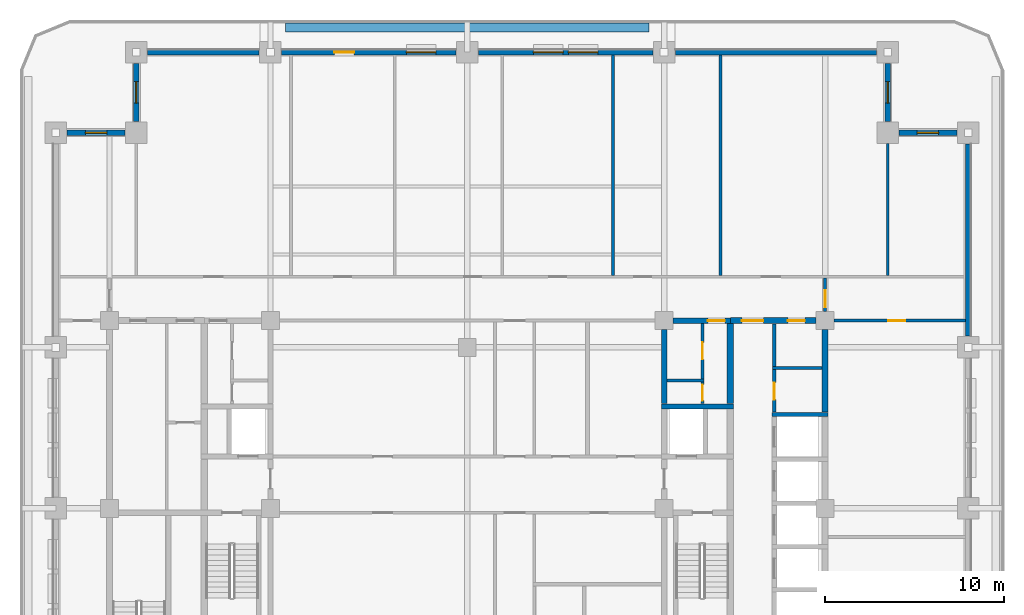
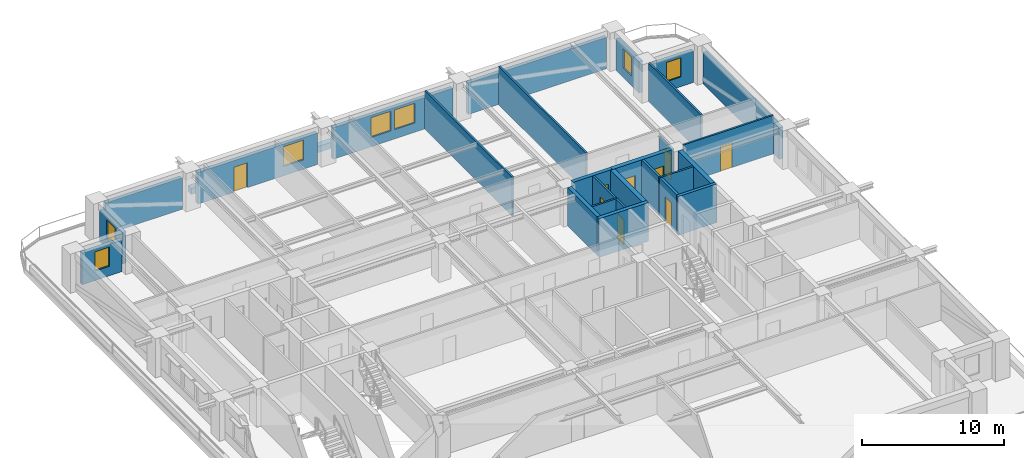
# One storey, part 6 of 14: 28 walls, 9 doors, 7 windows, 16 openings.
"""IFC4 building model written with IfcOpenShell, lengths in metres."""

from ifc_helpers import new_model, si_unit, direction, frame, frame_2d, origin, place, context, subcontext, project, spatial, rectangle, extrude, material, layer, layer_set, type_object, element, fill, save


model = new_model("IFC4")

# Units and contexts
model_context = context("Model", 3, precision=1e-05, world=origin(), true_north=direction((0.0, 1.0)))
body_context = subcontext(model_context, "Body", "Model", "MODEL_VIEW")
ifc_project = project(units=[si_unit("LENGTHUNIT", "METRE"), si_unit("AREAUNIT", "SQUARE_METRE"), si_unit("VOLUMEUNIT", "CUBIC_METRE"), si_unit("PLANEANGLEUNIT", "RADIAN"), si_unit("MASSUNIT", "GRAM", prefix="KILO")], contexts=[model_context])

# Site, building, storey
site_placement = place(None, origin())
site = spatial("IfcSite", under=ifc_project, at=site_placement, CompositionType="ELEMENT")
building_placement = place(site_placement, origin())
building = spatial("IfcBuilding", under=site, at=building_placement, Name="Zulmaris Gate Convention Tower", CompositionType="ELEMENT")
storey_placement = place(building_placement, frame((0.0, 0.0, 102.06982421875)))
storey = spatial("IfcBuildingStorey", under=building, at=storey_placement, Name="L25", CompositionType="ELEMENT", Elevation=102.06982421875)

# Walls
ifc_material_1 = material(Name="Concrete C50/60", Category="concrete")
ifc_layer_1 = layer(ifc_material_1, 0.25, Name="Concrete C50/60")
ifc_layer_set_1 = layer_set([ifc_layer_1], Name="Concrete C50/60")
wall_type_1 = type_object("IfcWallType", Name="CORE-250", PredefinedType="SOLIDWALL", material=ifc_layer_set_1)
wall_1_placement = place(storey_placement, frame((17.02490234375, 5.25, 0.0), z_axis=(0.0, 0.0, 1.0), x_axis=(1.0, 0.0, 0.0)))
element("IfcWall", 1, at=wall_1_placement, inside=storey, type_object=wall_type_1, Name="WL-L25-014", PredefinedType="SOLIDWALL", context=body_context, shape_type="SweptSolid", body=[
    extrude(rectangle(XDim=3.150146484375, YDim=0.25, at=frame_2d((1.5751953125, 0.0))), origin(), (0.0, 0.0, 1.0), 3.320068359375),
])
ifc_layer_2 = layer(ifc_material_1, 0.300048828125, Name="Concrete C50/60")
ifc_layer_set_2 = layer_set([ifc_layer_2], Name="Concrete C50/60")
wall_type_2 = type_object("IfcWallType", Name="CORE-300", PredefinedType="SHEAR", material=ifc_layer_set_2)
wall_2_placement = place(storey_placement, frame((10.85009765625, 5.699951171875, 0.0), z_axis=(0.0, 0.0, 1.0), x_axis=(1.0, 0.0, 0.0)))
element("IfcWall", 2, at=wall_2_placement, inside=storey, type_object=wall_type_2, Name="WL-L25-016", PredefinedType="SHEAR", context=body_context, shape_type="SweptSolid", body=[
    extrude(rectangle(XDim=4.02490234375, YDim=0.300048828125, at=frame_2d((2.012451171875, 0.0))), origin(), (0.0, 0.0, 1.0), 3.320068359375),
])

# Wall, opening, door
wall_3_placement = place(storey_placement, frame((11.50390625, 10.5, 0.0), z_axis=(0.0, 0.0, 1.0), x_axis=(1.0, 0.0, 0.0)))
wall_3 = element("IfcWall", 3, at=wall_3_placement, inside=storey, type_object=wall_type_2, Name="WL-L25-019", PredefinedType="SHEAR", context=body_context, shape_type="SweptSolid", body=[
    extrude(rectangle(XDim=3.196044921875, YDim=0.300048828125, at=frame_2d((1.59814453125, 0.0))), origin(), (0.0, 0.0, 1.0), 3.320068359375),
])
opening_1_placement = place(wall_3_placement, frame((1.94091796875, 0.0, 0.0)))
opening_1 = element("IfcOpeningElement", 4, at=opening_1_placement, cuts=wall_3, Name="Opening D-11", PredefinedType="OPENING", context=body_context, shape_type="SweptSolid", body=[
    extrude(rectangle(XDim=0.949951171875, YDim=2.14990234375, at=frame_2d((0.47509765625, 1.074951171875))), frame((0.0, 0.16015625, 0.0), z_axis=(0.0, -1.0, 0.0), x_axis=(1.0, 0.0, 0.0)), (0.0, 0.0, 1.0), 0.320068359375),
])
ifc_material_2 = material(Name="Fire-Rated Timber", Category="wood")
door_type_1 = type_object("IfcDoorType", Name="DR-950-FD", OperationType="NOTDEFINED", PredefinedType="DOOR", material=ifc_material_2)
door_1_placement = place(opening_1_placement, origin())
door_1 = element("IfcDoor", 5, at=door_1_placement, inside=storey, type_object=door_type_1, Name="L25 Core East Passage Door 10", OperationType="SINGLE_SWING_LEFT", OverallHeight=2.14990234375, OverallWidth=0.949951171875, PredefinedType="DOOR", context=body_context, shape_type="SweptSolid", body=[
    extrude(rectangle(XDim=0.949951171875, YDim=2.14990234375, at=frame_2d((0.47509765625, 1.074951171875))), frame((0.0, 0.02490234375, 0.0), z_axis=(0.0, -1.0, 0.0), x_axis=(1.0, 0.0, 0.0)), (0.0, 0.0, 1.0), 0.050048828125),
])
fill(opening_1, door_1)

# Wall
wall_4_placement = place(storey_placement, frame((11.0, 5.85205078125, 0.0), z_axis=(0.0, 0.0, 1.0), x_axis=(0.0, 1.0, 0.0)))
element("IfcWall", 6, at=wall_4_placement, inside=storey, type_object=wall_type_2, Name="WL-L25-053", PredefinedType="SHEAR", context=body_context, shape_type="SweptSolid", body=[
    extrude(rectangle(XDim=4.14404296875, YDim=0.300048828125, at=frame_2d((2.072021484375, 0.0))), origin(), (0.0, 0.0, 1.0), 3.320068359375),
])

# Wall, openings, doors
ifc_material_3 = material(Name="Concrete C55/67", Category="concrete")
ifc_layer_3 = layer(ifc_material_3, 0.35009765625, Name="Concrete C55/67")
ifc_layer_set_3 = layer_set([ifc_layer_3], Name="Concrete C55/67")
wall_type_3 = type_object("IfcWallType", Name="CORE-350", PredefinedType="SHEAR", material=ifc_layer_set_3)
wall_5_placement = place(storey_placement, frame((14.699951171875, 10.5, 0.0), z_axis=(0.0, 0.0, 1.0), x_axis=(1.0, 0.0, 0.0)))
wall_5 = element("IfcWall", 7, at=wall_5_placement, inside=storey, type_object=wall_type_3, Name="WL-L25-020", PredefinedType="SHEAR", context=body_context, shape_type="SweptSolid", body=[
    extrude(rectangle(XDim=4.796142578125, YDim=0.35009765625, at=frame_2d((2.39794921875, 0.0))), origin(), (0.0, 0.0, 1.0), 3.320068359375),
])
opening_2_placement = place(wall_5_placement, frame((0.64990234375, 0.0, 0.0)))
opening_2 = element("IfcOpeningElement", 8, at=opening_2_placement, cuts=wall_5, Name="Opening D-13", PredefinedType="OPENING", context=body_context, shape_type="SweptSolid", body=[
    extrude(rectangle(XDim=1.199951171875, YDim=2.14990234375, at=frame_2d((0.60009765625, 1.074951171875))), frame((0.0, 0.18505859375, 0.0), z_axis=(0.0, -1.0, 0.0), x_axis=(1.0, 0.0, 0.0)), (0.0, 0.0, 1.0), 0.3701171875),
])
opening_3_placement = place(wall_5_placement, frame((3.22509765625, 0.0, 0.0)))
opening_3 = element("IfcOpeningElement", 9, at=opening_3_placement, cuts=wall_5, Name="Opening D-11", PredefinedType="OPENING", context=body_context, shape_type="SweptSolid", body=[
    extrude(rectangle(XDim=0.949951171875, YDim=2.14990234375, at=frame_2d((0.47509765625, 1.074951171875))), frame((0.0, 0.18505859375, 0.0), z_axis=(0.0, -1.0, 0.0), x_axis=(1.0, 0.0, 0.0)), (0.0, 0.0, 1.0), 0.3701171875),
])
ifc_material_4 = material(Name="Fire-Rated Steel", Category="steel")
door_type_2 = type_object("IfcDoorType", Name="DR-1200-FD", OperationType="NOTDEFINED", PredefinedType="DOOR", material=ifc_material_4)
door_2_placement = place(opening_2_placement, origin())
door_2 = element("IfcDoor", 10, at=door_2_placement, inside=storey, type_object=door_type_2, Name="L25 East Lift Lobby North Door 22", OperationType="SINGLE_SWING_LEFT", OverallHeight=2.14990234375, OverallWidth=1.199951171875, PredefinedType="DOOR", context=body_context, shape_type="SweptSolid", body=[
    extrude(rectangle(XDim=1.199951171875, YDim=2.14990234375, at=frame_2d((0.60009765625, 1.074951171875))), frame((0.0, 0.02490234375, 0.0), z_axis=(0.0, -1.0, 0.0), x_axis=(1.0, 0.0, 0.0)), (0.0, 0.0, 1.0), 0.050048828125),
])
fill(opening_2, door_2)
door_3_placement = place(opening_3_placement, origin())
door_3 = element("IfcDoor", 11, at=door_3_placement, inside=storey, type_object=door_type_1, Name="L25 Mid-Rise Supply Door 23", OperationType="SINGLE_SWING_RIGHT", OverallHeight=2.14990234375, OverallWidth=0.949951171875, PredefinedType="DOOR", context=body_context, shape_type="SweptSolid", body=[
    extrude(rectangle(XDim=0.949951171875, YDim=2.14990234375, at=frame_2d((0.47509765625, 1.074951171875))), frame((0.0, 0.02490234375, 0.0), z_axis=(0.0, -1.0, 0.0), x_axis=(1.0, 0.0, 0.0)), (0.0, 0.0, 1.0), 0.050048828125),
])
fill(opening_3, door_3)

# Walls
wall_6_placement = place(storey_placement, frame((14.699951171875, 5.85205078125, 0.0), z_axis=(0.0, 0.0, 1.0), x_axis=(0.0, 1.0, 0.0)))
element("IfcWall", 12, at=wall_6_placement, inside=storey, type_object=wall_type_3, Name="WL-L25-059", PredefinedType="SHEAR", context=body_context, shape_type="SweptSolid", body=[
    extrude(rectangle(XDim=4.470947265625, YDim=0.35009765625, at=frame_2d((2.2353515625, 0.0))), origin(), (0.0, 0.0, 1.0), 3.320068359375),
])
wall_7_placement = place(storey_placement, frame((20.0, 5.376953125, 0.0), z_axis=(0.0, 0.0, 1.0), x_axis=(0.0, 1.0, 0.0)))
element("IfcWall", 13, at=wall_7_placement, inside=storey, type_object=wall_type_3, Name="WL-L25-071", PredefinedType="SHEAR", context=body_context, shape_type="SweptSolid", body=[
    extrude(rectangle(XDim=4.619140625, YDim=0.35009765625, at=frame_2d((2.3095703125, 0.0))), origin(), (0.0, 0.0, 1.0), 3.320068359375),
])
ifc_material_5 = material(Name="Gypsum Metal Stud Partition")
ifc_layer_4 = layer(ifc_material_5, 0.14990234375, Name="Gypsum Metal Stud Partition")
ifc_layer_set_4 = layer_set([ifc_layer_4], Name="Gypsum Metal Stud Partition")
wall_type_4 = type_object("IfcWallType", Name="PART-150", PredefinedType="PARTITIONING", material=ifc_layer_set_4)
wall_8_placement = place(storey_placement, frame((11.153076171875, 7.14990234375, 0.0), z_axis=(0.0, 0.0, 1.0), x_axis=(1.0, 0.0, 0.0)))
element("IfcWall", 14, at=wall_8_placement, inside=storey, type_object=wall_type_4, Name="WL-L25-031", PredefinedType="PARTITIONING", context=body_context, shape_type="SweptSolid", body=[
    extrude(rectangle(XDim=2.072021484375, YDim=0.14990234375, at=frame_2d((1.0361328125, 0.0))), origin(), (0.0, 0.0, 1.0), 3.320068359375),
])
wall_9_placement = place(storey_placement, frame((17.050048828125, 7.85009765625, 0.0), z_axis=(0.0, 0.0, 1.0), x_axis=(1.0, 0.0, 0.0)))
element("IfcWall", 15, at=wall_9_placement, inside=storey, type_object=wall_type_4, Name="WL-L25-032", PredefinedType="PARTITIONING", context=body_context, shape_type="SweptSolid", body=[
    extrude(rectangle(XDim=2.77197265625, YDim=0.14990234375, at=frame_2d((1.385986328125, 0.0))), origin(), (0.0, 0.0, 1.0), 3.320068359375),
])

# Wall, opening, door
wall_10_placement = place(storey_placement, frame((20.506103515625, 10.5, 0.0), z_axis=(0.0, 0.0, 1.0), x_axis=(1.0, 0.0, 0.0)))
wall_10 = element("IfcWall", 16, at=wall_10_placement, inside=storey, type_object=wall_type_4, Name="WL-L25-035", PredefinedType="PARTITIONING", context=body_context, shape_type="SweptSolid", body=[
    extrude(rectangle(XDim=7.328857421875, YDim=0.14990234375, at=frame_2d((3.66455078125, 0.0))), origin(), (0.0, 0.0, 1.0), 3.320068359375),
])
opening_4_placement = place(wall_10_placement, frame((3.01904296875, 0.0, 0.0)))
opening_4 = element("IfcOpeningElement", 17, at=opening_4_placement, cuts=wall_10, Name="Opening D-11", PredefinedType="OPENING", context=body_context, shape_type="SweptSolid", body=[
    extrude(rectangle(XDim=0.949951171875, YDim=2.14990234375, at=frame_2d((0.47509765625, 1.074951171875))), frame((0.0, 0.0849609375, 0.0), z_axis=(0.0, -1.0, 0.0), x_axis=(1.0, 0.0, 0.0)), (0.0, 0.0, 1.0), 0.169921875),
])
door_4_placement = place(opening_4_placement, origin())
door_4 = element("IfcDoor", 18, at=door_4_placement, inside=storey, type_object=door_type_1, Name="L25 NE Partner Door 51", OperationType="SINGLE_SWING_RIGHT", OverallHeight=2.14990234375, OverallWidth=0.949951171875, PredefinedType="DOOR", context=body_context, shape_type="SweptSolid", body=[
    extrude(rectangle(XDim=0.949951171875, YDim=2.14990234375, at=frame_2d((0.47509765625, 1.074951171875))), frame((0.0, 0.02490234375, 0.0), z_axis=(0.0, -1.0, 0.0), x_axis=(1.0, 0.0, 0.0)), (0.0, 0.0, 1.0), 0.050048828125),
])
fill(opening_4, door_4)

# Wall
wall_11_placement = place(storey_placement, frame((8.14990234375, 13.028076171875, 0.0), z_axis=(0.0, 0.0, 1.0), x_axis=(0.0, 1.0, 0.0)))
element("IfcWall", 19, at=wall_11_placement, inside=storey, type_object=wall_type_4, Name="WL-L25-092", PredefinedType="PARTITIONING", context=body_context, shape_type="SweptSolid", body=[
    extrude(rectangle(XDim=12.306884765625, YDim=0.14990234375, at=frame_2d((6.1533203125, 0.0))), origin(), (0.0, 0.0, 1.0), 3.320068359375),
])

# Wall, opening, door
wall_12_placement = place(storey_placement, frame((13.14990234375, 5.85302734375, 0.0), z_axis=(0.0, 0.0, 1.0), x_axis=(0.0, 1.0, 0.0)))
wall_12 = element("IfcWall", 20, at=wall_12_placement, inside=storey, type_object=wall_type_4, Name="WL-L25-093", PredefinedType="PARTITIONING", context=body_context, shape_type="SweptSolid", body=[
    extrude(rectangle(XDim=1.218994140625, YDim=0.14990234375, at=frame_2d((0.609375, 0.0))), origin(), (0.0, 0.0, 1.0), 3.320068359375),
])
opening_5_placement = place(wall_12_placement, frame((0.1689453125, 0.0, 0.0)))
opening_5 = element("IfcOpeningElement", 21, at=opening_5_placement, cuts=wall_12, Name="Opening D-12", PredefinedType="OPENING", context=body_context, shape_type="SweptSolid", body=[
    extrude(rectangle(XDim=0.89990234375, YDim=2.14990234375, at=frame_2d((0.449951171875, 1.074951171875))), frame((0.0, 0.0849609375, 0.0), z_axis=(0.0, -1.0, 0.0), x_axis=(1.0, 0.0, 0.0)), (0.0, 0.0, 1.0), 0.169921875),
])
door_type_3 = type_object("IfcDoorType", Name="DR-900-FD", OperationType="NOTDEFINED", PredefinedType="DOOR", material=ifc_material_2)
door_5_placement = place(opening_5_placement, origin())
door_5 = element("IfcDoor", 22, at=door_5_placement, inside=storey, type_object=door_type_3, Name="L25 Core Staff WC Door 11", OperationType="SINGLE_SWING_RIGHT", OverallHeight=2.14990234375, OverallWidth=0.89990234375, PredefinedType="DOOR", context=body_context, shape_type="SweptSolid", body=[
    extrude(rectangle(XDim=0.89990234375, YDim=2.14990234375, at=frame_2d((0.449951171875, 1.074951171875))), frame((0.0, 0.02490234375, 0.0), z_axis=(0.0, -1.0, 0.0), x_axis=(1.0, 0.0, 0.0)), (0.0, 0.0, 1.0), 0.050048828125),
])
fill(opening_5, door_5)

wall_13_placement = place(storey_placement, frame((13.14990234375, 7.22802734375, 0.0), z_axis=(0.0, 0.0, 1.0), x_axis=(0.0, 1.0, 0.0)))
wall_13 = element("IfcWall", 23, at=wall_13_placement, inside=storey, type_object=wall_type_4, Name="WL-L25-094", PredefinedType="PARTITIONING", context=body_context, shape_type="SweptSolid", body=[
    extrude(rectangle(XDim=3.118896484375, YDim=0.14990234375, at=frame_2d((1.5595703125, 0.0))), origin(), (0.0, 0.0, 1.0), 3.320068359375),
])
opening_6_placement = place(wall_13_placement, frame((1.096923828125, 0.0, 0.0)))
opening_6 = element("IfcOpeningElement", 24, at=opening_6_placement, cuts=wall_13, Name="Opening D-11", PredefinedType="OPENING", context=body_context, shape_type="SweptSolid", body=[
    extrude(rectangle(XDim=0.949951171875, YDim=2.14990234375, at=frame_2d((0.47509765625, 1.074951171875))), frame((0.0, 0.0849609375, 0.0), z_axis=(0.0, -1.0, 0.0), x_axis=(1.0, 0.0, 0.0)), (0.0, 0.0, 1.0), 0.169921875),
])
door_6_placement = place(opening_6_placement, origin())
door_6 = element("IfcDoor", 25, at=door_6_placement, inside=storey, type_object=door_type_1, Name="L25 Core Hygiene Store Door 12", OperationType="SINGLE_SWING_LEFT", OverallHeight=2.14990234375, OverallWidth=0.949951171875, PredefinedType="DOOR", context=body_context, shape_type="SweptSolid", body=[
    extrude(rectangle(XDim=0.949951171875, YDim=2.14990234375, at=frame_2d((0.47509765625, 1.074951171875))), frame((0.0, 0.02490234375, 0.0), z_axis=(0.0, -1.0, 0.0), x_axis=(1.0, 0.0, 0.0)), (0.0, 0.0, 1.0), 0.050048828125),
])
fill(opening_6, door_6)

# Wall
wall_14_placement = place(storey_placement, frame((14.14990234375, 13.028076171875, 0.0), z_axis=(0.0, 0.0, 1.0), x_axis=(0.0, 1.0, 0.0)))
element("IfcWall", 26, at=wall_14_placement, inside=storey, type_object=wall_type_4, Name="WL-L25-095", PredefinedType="PARTITIONING", context=body_context, shape_type="SweptSolid", body=[
    extrude(rectangle(XDim=12.306884765625, YDim=0.14990234375, at=frame_2d((6.1533203125, 0.0))), origin(), (0.0, 0.0, 1.0), 3.320068359375),
])

# Wall, opening, door
wall_15_placement = place(storey_placement, frame((20.0, 11.006103515625, 0.0), z_axis=(0.0, 0.0, 1.0), x_axis=(0.0, 1.0, 0.0)))
wall_15 = element("IfcWall", 27, at=wall_15_placement, inside=storey, type_object=wall_type_4, Name="WL-L25-099", PredefinedType="PARTITIONING", context=body_context, shape_type="SweptSolid", body=[
    extrude(rectangle(XDim=1.865966796875, YDim=0.14990234375, at=frame_2d((0.93310546875, 0.0))), origin(), (0.0, 0.0, 1.0), 2.81005859375),
])
opening_7_placement = place(wall_15_placement, frame((0.239013671875, 0.0, 0.0)))
opening_7 = element("IfcOpeningElement", 28, at=opening_7_placement, cuts=wall_15, Name="Opening D-11", PredefinedType="OPENING", context=body_context, shape_type="SweptSolid", body=[
    extrude(rectangle(XDim=0.949951171875, YDim=2.14990234375, at=frame_2d((0.47509765625, 1.074951171875))), frame((0.0, 0.0849609375, 0.0), z_axis=(0.0, -1.0, 0.0), x_axis=(1.0, 0.0, 0.0)), (0.0, 0.0, 1.0), 0.169921875),
])
door_7_placement = place(opening_7_placement, origin())
door_7 = element("IfcDoor", 29, at=door_7_placement, inside=storey, type_object=door_type_1, Name="L25 NE Spur Door 49", OperationType="SINGLE_SWING_RIGHT", OverallHeight=2.14990234375, OverallWidth=0.949951171875, PredefinedType="DOOR", context=body_context, shape_type="SweptSolid", body=[
    extrude(rectangle(XDim=0.949951171875, YDim=2.14990234375, at=frame_2d((0.47509765625, 1.074951171875))), frame((0.0, 0.02490234375, 0.0), z_axis=(0.0, -1.0, 0.0), x_axis=(1.0, 0.0, 0.0)), (0.0, 0.0, 1.0), 0.050048828125),
])
fill(opening_7, door_7)

# Wall
wall_16_placement = place(storey_placement, frame((23.5, 13.028076171875, 0.0), z_axis=(0.0, 0.0, 1.0), x_axis=(0.0, 1.0, 0.0)))
element("IfcWall", 30, at=wall_16_placement, inside=storey, type_object=wall_type_4, Name="WL-L25-101", PredefinedType="PARTITIONING", context=body_context, shape_type="SweptSolid", body=[
    extrude(rectangle(XDim=7.365966796875, YDim=0.14990234375, at=frame_2d((3.68310546875, 0.0))), origin(), (0.0, 0.0, 1.0), 3.320068359375),
])

# Wall, opening, door
ifc_material_6 = material(Name="Autoclaved Aerated Concrete Block and Plasterboard", Category="concrete")
ifc_layer_5 = layer(ifc_material_6, 0.199951171875, Name="Autoclaved Aerated Concrete Block and Plasterboard")
ifc_layer_set_5 = layer_set([ifc_layer_5], Name="Autoclaved Aerated Concrete Block and Plasterboard")
wall_type_5 = type_object("IfcWallType", Name="PART-200", PredefinedType="PARTITIONING", material=ifc_layer_set_5)
wall_17_placement = place(storey_placement, frame((17.14990234375, 5.3779296875, 0.0), z_axis=(0.0, 0.0, 1.0), x_axis=(0.0, 1.0, 0.0)))
wall_17 = element("IfcWall", 31, at=wall_17_placement, inside=storey, type_object=wall_type_5, Name="WL-L25-096", PredefinedType="PARTITIONING", context=body_context, shape_type="SweptSolid", body=[
    extrude(rectangle(XDim=2.39404296875, YDim=0.199951171875, at=frame_2d((1.197021484375, 0.0))), origin(), (0.0, 0.0, 1.0), 3.320068359375),
])
opening_8_placement = place(wall_17_placement, frame((0.697021484375, 0.0, 0.0)))
opening_8 = element("IfcOpeningElement", 32, at=opening_8_placement, cuts=wall_17, Name="Opening D-11", PredefinedType="OPENING", context=body_context, shape_type="SweptSolid", body=[
    extrude(rectangle(XDim=0.949951171875, YDim=2.14990234375, at=frame_2d((0.47509765625, 1.074951171875))), frame((0.0, 0.10986328125, 0.0), z_axis=(0.0, -1.0, 0.0), x_axis=(1.0, 0.0, 0.0)), (0.0, 0.0, 1.0), 0.219970703125),
])
door_8_placement = place(opening_8_placement, origin())
door_8 = element("IfcDoor", 33, at=door_8_placement, inside=storey, type_object=door_type_1, Name="L25 Mid-Rise Meter Door 24", OperationType="SINGLE_SWING_LEFT", OverallHeight=2.14990234375, OverallWidth=0.949951171875, PredefinedType="DOOR", context=body_context, shape_type="SweptSolid", body=[
    extrude(rectangle(XDim=0.949951171875, YDim=2.14990234375, at=frame_2d((0.47509765625, 1.074951171875))), frame((0.0, 0.02490234375, 0.0), z_axis=(0.0, -1.0, 0.0), x_axis=(1.0, 0.0, 0.0)), (0.0, 0.0, 1.0), 0.050048828125),
])
fill(opening_8, door_8)

# Walls
wall_18_placement = place(storey_placement, frame((17.14990234375, 7.927978515625, 0.0), z_axis=(0.0, 0.0, 1.0), x_axis=(0.0, 1.0, 0.0)))
element("IfcWall", 34, at=wall_18_placement, inside=storey, type_object=wall_type_5, Name="WL-L25-097", PredefinedType="PARTITIONING", context=body_context, shape_type="SweptSolid", body=[
    extrude(rectangle(XDim=2.39404296875, YDim=0.199951171875, at=frame_2d((1.197021484375, 0.0))), origin(), (0.0, 0.0, 1.0), 3.320068359375),
])
ifc_material_7 = material(Name="Botanical Green Glazed Precast Concrete C40/50", Category="concrete")
ifc_layer_6 = layer(ifc_material_7, 0.419921875, Name="Botanical Green Glazed Precast Concrete C40/50")
ifc_layer_set_6 = layer_set([ifc_layer_6], Name="Botanical Green Glazed Precast Concrete C40/50")
wall_type_6 = type_object("IfcWallType", Name="PLANTER-CURB-200", PredefinedType="PARAPET", material=ifc_layer_set_6)
wall_19_placement = place(storey_placement, frame((-10.14990234375, 26.8798828125, -0.0400390625), z_axis=(0.0, 0.0, 1.0), x_axis=(1.0, 0.0, 0.0)))
element("IfcWall", 35, at=wall_19_placement, inside=storey, type_object=wall_type_6, Name="L25 Full-Length Balcony Tree Planter Trough", PredefinedType="PARAPET", context=body_context, shape_type="SweptSolid", body=[
    extrude(rectangle(XDim=20.2998046875, YDim=0.47998046875, at=frame_2d((10.14990234375, 0.0))), origin(), (0.0, 0.0, 1.0), 0.52001953125),
])

# Wall, opening, window
ifc_material_8 = material(Name="Precast concrete C40/50", Category="concrete")
ifc_layer_7 = layer(ifc_material_8, 0.300048828125, Name="Precast concrete C40/50")
ifc_layer_set_7 = layer_set([ifc_layer_7], Name="Precast concrete C40/50")
wall_type_7 = type_object("IfcWallType", Name="PRECAST-PIER-300", PredefinedType="STANDARD", material=ifc_layer_set_7)
wall_20_placement = place(storey_placement, frame((27.3701171875, 21.0, 0.0), z_axis=(0.0, 0.0, 1.0), x_axis=(-1.0, 0.0, 0.0)))
wall_20 = element("IfcWall", 36, at=wall_20_placement, inside=storey, type_object=wall_type_7, Name="EW-L25-NOTCH-NE1_0", PredefinedType="STANDARD", context=body_context, shape_type="SweptSolid", body=[
    extrude(rectangle(XDim=3.240234375, YDim=0.300048828125, at=frame_2d((1.6201171875, 0.0))), origin(), (0.0, 0.0, 1.0), 2.712158203125),
])
opening_9_placement = place(wall_20_placement, frame((1.02001953125, 0.0, 0.820068359375)))
opening_9 = element("IfcOpeningElement", 37, at=opening_9_placement, cuts=wall_20, Name="Opening W-04", PredefinedType="OPENING", context=body_context, shape_type="SweptSolid", body=[
    extrude(rectangle(XDim=1.199951171875, YDim=1.64990234375, at=frame_2d((0.60009765625, 0.824951171875))), frame((0.0, 0.16015625, 0.0), z_axis=(0.0, -1.0, 0.0), x_axis=(1.0, 0.0, 0.0)), (0.0, 0.0, 1.0), 0.320068359375),
])
ifc_material_9 = material(Name="Low-E Laminated Double Glazing in Aluminium Frame", Category="aluminium")
window_type_1 = type_object("IfcWindowType", Name="WIN-1200x2100", PartitioningType="SINGLE_PANEL", PredefinedType="WINDOW", material=ifc_material_9)
window_1_placement = place(opening_9_placement, origin())
window_1 = element("IfcWindow", 38, at=window_1_placement, inside=storey, type_object=window_type_1, Name="WN-EW-L25-NOTCH-NE1_0", OverallHeight=1.64990234375, OverallWidth=1.199951171875, PartitioningType="SINGLE_PANEL", PredefinedType="WINDOW", context=body_context, shape_type="SweptSolid", body=[
    extrude(rectangle(XDim=1.199951171875, YDim=1.64990234375, at=frame_2d((0.60009765625, 0.824951171875))), frame((0.0, 0.030029296875, 0.0), z_axis=(0.0, -1.0, 0.0), x_axis=(1.0, 0.0, 0.0)), (0.0, 0.0, 1.0), 0.06005859375),
])
fill(opening_9, window_1)

wall_21_placement = place(storey_placement, frame((23.5, 21.6298828125, 0.0), z_axis=(0.0, 0.0, 1.0), x_axis=(0.0, 1.0, 0.0)))
wall_21 = element("IfcWall", 39, at=wall_21_placement, inside=storey, type_object=wall_type_7, Name="EW-L25-NOTCH-NE2_0", PredefinedType="STANDARD", context=body_context, shape_type="SweptSolid", body=[
    extrude(rectangle(XDim=3.240234375, YDim=0.300048828125, at=frame_2d((1.6201171875, 0.0))), origin(), (0.0, 0.0, 1.0), 2.712158203125),
])
opening_10_placement = place(wall_21_placement, frame((1.02001953125, 0.0, 0.820068359375)))
opening_10 = element("IfcOpeningElement", 40, at=opening_10_placement, cuts=wall_21, Name="Opening W-04", PredefinedType="OPENING", context=body_context, shape_type="SweptSolid", body=[
    extrude(rectangle(XDim=1.199951171875, YDim=1.64990234375, at=frame_2d((0.60009765625, 0.824951171875))), frame((0.0, 0.16015625, 0.0), z_axis=(0.0, -1.0, 0.0), x_axis=(1.0, 0.0, 0.0)), (0.0, 0.0, 1.0), 0.320068359375),
])
window_2_placement = place(opening_10_placement, origin())
window_2 = element("IfcWindow", 41, at=window_2_placement, inside=storey, type_object=window_type_1, Name="WN-EW-L25-NOTCH-NE2_0", OverallHeight=1.64990234375, OverallWidth=1.199951171875, PartitioningType="SINGLE_PANEL", PredefinedType="WINDOW", context=body_context, shape_type="SweptSolid", body=[
    extrude(rectangle(XDim=1.199951171875, YDim=1.64990234375, at=frame_2d((0.60009765625, 0.824951171875))), frame((0.0, 0.030029296875, 0.0), z_axis=(0.0, -1.0, 0.0), x_axis=(1.0, 0.0, 0.0)), (0.0, 0.0, 1.0), 0.06005859375),
])
fill(opening_10, window_2)

wall_22_placement = place(storey_placement, frame((-18.5, 24.8701171875, 0.0), z_axis=(0.0, 0.0, 1.0), x_axis=(0.0, -1.0, 0.0)))
wall_22 = element("IfcWall", 42, at=wall_22_placement, inside=storey, type_object=wall_type_7, Name="EW-L25-NOTCH-NW1_0", PredefinedType="STANDARD", context=body_context, shape_type="SweptSolid", body=[
    extrude(rectangle(XDim=3.240234375, YDim=0.300048828125, at=frame_2d((1.6201171875, 0.0))), origin(), (0.0, 0.0, 1.0), 2.712158203125),
])
opening_11_placement = place(wall_22_placement, frame((1.02001953125, 0.0, 0.820068359375)))
opening_11 = element("IfcOpeningElement", 43, at=opening_11_placement, cuts=wall_22, Name="Opening W-04", PredefinedType="OPENING", context=body_context, shape_type="SweptSolid", body=[
    extrude(rectangle(XDim=1.199951171875, YDim=1.64990234375, at=frame_2d((0.60009765625, 0.824951171875))), frame((0.0, 0.16015625, 0.0), z_axis=(0.0, -1.0, 0.0), x_axis=(1.0, 0.0, 0.0)), (0.0, 0.0, 1.0), 0.320068359375),
])
window_3_placement = place(opening_11_placement, origin())
window_3 = element("IfcWindow", 44, at=window_3_placement, inside=storey, type_object=window_type_1, Name="WN-EW-L25-NOTCH-NW1_0", OverallHeight=1.64990234375, OverallWidth=1.199951171875, PartitioningType="SINGLE_PANEL", PredefinedType="WINDOW", context=body_context, shape_type="SweptSolid", body=[
    extrude(rectangle(XDim=1.199951171875, YDim=1.64990234375, at=frame_2d((0.60009765625, 0.824951171875))), frame((0.0, 0.030029296875, 0.0), z_axis=(0.0, -1.0, 0.0), x_axis=(1.0, 0.0, 0.0)), (0.0, 0.0, 1.0), 0.06005859375),
])
fill(opening_11, window_3)

wall_23_placement = place(storey_placement, frame((-19.1298828125, 21.0, 0.0), z_axis=(0.0, 0.0, 1.0), x_axis=(-1.0, 0.0, 0.0)))
wall_23 = element("IfcWall", 45, at=wall_23_placement, inside=storey, type_object=wall_type_7, Name="EW-L25-NOTCH-NW2_0", PredefinedType="STANDARD", context=body_context, shape_type="SweptSolid", body=[
    extrude(rectangle(XDim=3.240234375, YDim=0.300048828125, at=frame_2d((1.6201171875, 0.0))), origin(), (0.0, 0.0, 1.0), 2.712158203125),
])
opening_12_placement = place(wall_23_placement, frame((1.02001953125, 0.0, 0.820068359375)))
opening_12 = element("IfcOpeningElement", 46, at=opening_12_placement, cuts=wall_23, Name="Opening W-04", PredefinedType="OPENING", context=body_context, shape_type="SweptSolid", body=[
    extrude(rectangle(XDim=1.199951171875, YDim=1.64990234375, at=frame_2d((0.60009765625, 0.824951171875))), frame((0.0, 0.16015625, 0.0), z_axis=(0.0, -1.0, 0.0), x_axis=(1.0, 0.0, 0.0)), (0.0, 0.0, 1.0), 0.320068359375),
])
window_4_placement = place(opening_12_placement, origin())
window_4 = element("IfcWindow", 47, at=window_4_placement, inside=storey, type_object=window_type_1, Name="WN-EW-L25-NOTCH-NW2_0", OverallHeight=1.64990234375, OverallWidth=1.199951171875, PartitioningType="SINGLE_PANEL", PredefinedType="WINDOW", context=body_context, shape_type="SweptSolid", body=[
    extrude(rectangle(XDim=1.199951171875, YDim=1.64990234375, at=frame_2d((0.60009765625, 0.824951171875))), frame((0.0, 0.030029296875, 0.0), z_axis=(0.0, -1.0, 0.0), x_axis=(1.0, 0.0, 0.0)), (0.0, 0.0, 1.0), 0.06005859375),
])
fill(opening_12, window_4)

# Wall
wall_24_placement = place(storey_placement, frame((-11.6298828125, 25.5, 0.0), z_axis=(0.0, 0.0, 1.0), x_axis=(-1.0, 0.0, 0.0)))
element("IfcWall", 48, at=wall_24_placement, inside=storey, type_object=wall_type_7, Name="EW-L25-N-0_0", PredefinedType="STANDARD", context=body_context, shape_type="SweptSolid", body=[
    extrude(rectangle(XDim=6.240234375, YDim=0.300048828125, at=frame_2d((3.1201171875, 0.0))), origin(), (0.0, 0.0, 1.0), 2.712158203125),
])

# Wall, openings, door, window
wall_25_placement = place(storey_placement, frame((-0.6298828125, 25.5, 0.0), z_axis=(0.0, 0.0, 1.0), x_axis=(-1.0, 0.0, 0.0)))
wall_25 = element("IfcWall", 49, at=wall_25_placement, inside=storey, type_object=wall_type_7, Name="EW-L25-N-1_0", PredefinedType="STANDARD", context=body_context, shape_type="SweptSolid", body=[
    extrude(rectangle(XDim=9.740234375, YDim=0.300048828125, at=frame_2d((4.8701171875, 0.0))), origin(), (0.0, 0.0, 1.0), 2.712158203125),
])
opening_13_placement = place(wall_25_placement, frame((5.693115234375, 0.0, 0.0)))
opening_13 = element("IfcOpeningElement", 50, at=opening_13_placement, cuts=wall_25, Name="Opening D-04", PredefinedType="OPENING", context=body_context, shape_type="SweptSolid", body=[
    extrude(rectangle(XDim=1.10009765625, YDim=2.14990234375, at=frame_2d((0.550048828125, 1.074951171875))), frame((0.0, 0.16015625, 0.0), z_axis=(0.0, -1.0, 0.0), x_axis=(1.0, 0.0, 0.0)), (0.0, 0.0, 1.0), 0.320068359375),
])
opening_14_placement = place(wall_25_placement, frame((1.123046875, 0.0, 0.800048828125)))
opening_14 = element("IfcOpeningElement", 51, at=opening_14_placement, cuts=wall_25, Name="Opening W-08", PredefinedType="OPENING", context=body_context, shape_type="SweptSolid", body=[
    extrude(rectangle(XDim=1.64990234375, YDim=1.699951171875, at=frame_2d((0.824951171875, 0.85009765625))), frame((0.0, 0.16015625, 0.0), z_axis=(0.0, -1.0, 0.0), x_axis=(1.0, 0.0, 0.0)), (0.0, 0.0, 1.0), 0.320068359375),
])
ifc_material_10 = material(Name="Anodised Aluminium and Laminated Glass", Category="aluminium")
door_type_4 = type_object("IfcDoorType", Name="ED-1100", OperationType="SINGLE_SWING_RIGHT", PredefinedType="DOOR", material=ifc_material_10)
door_9_placement = place(opening_13_placement, origin())
door_9 = element("IfcDoor", 52, at=door_9_placement, inside=storey, type_object=door_type_4, Name="L25 N Planted Terrace Door", OperationType="SINGLE_SWING_LEFT", OverallHeight=2.14990234375, OverallWidth=1.10009765625, PredefinedType="DOOR", context=body_context, shape_type="SweptSolid", body=[
    extrude(rectangle(XDim=1.10009765625, YDim=2.14990234375, at=frame_2d((0.550048828125, 1.074951171875))), frame((0.0, 0.02490234375, 0.0), z_axis=(0.0, -1.0, 0.0), x_axis=(1.0, 0.0, 0.0)), (0.0, 0.0, 1.0), 0.050048828125),
])
fill(opening_13, door_9)
window_type_2 = type_object("IfcWindowType", Name="WIN-1650x2150", PartitioningType="SINGLE_PANEL", PredefinedType="WINDOW", material=ifc_material_9)
window_5_placement = place(opening_14_placement, origin())
window_5 = element("IfcWindow", 53, at=window_5_placement, inside=storey, type_object=window_type_2, Name="WN-EW-L25-N-1_0-1", OverallHeight=1.699951171875, OverallWidth=1.64990234375, PartitioningType="SINGLE_PANEL", PredefinedType="WINDOW", context=body_context, shape_type="SweptSolid", body=[
    extrude(rectangle(XDim=1.64990234375, YDim=1.699951171875, at=frame_2d((0.824951171875, 0.85009765625))), frame((0.0, 0.030029296875, 0.0), z_axis=(0.0, -1.0, 0.0), x_axis=(1.0, 0.0, 0.0)), (0.0, 0.0, 1.0), 0.06005859375),
])
fill(opening_14, window_5)

# Wall, openings, windows
wall_26_placement = place(storey_placement, frame((10.3701171875, 25.5, 0.0), z_axis=(0.0, 0.0, 1.0), x_axis=(-1.0, 0.0, 0.0)))
wall_26 = element("IfcWall", 54, at=wall_26_placement, inside=storey, type_object=wall_type_7, Name="EW-L25-N-2_0", PredefinedType="STANDARD", context=body_context, shape_type="SweptSolid", body=[
    extrude(rectangle(XDim=9.740234375, YDim=0.300048828125, at=frame_2d((4.8701171875, 0.0))), origin(), (0.0, 0.0, 1.0), 2.712158203125),
])
opening_15_placement = place(wall_26_placement, frame((3.071044921875, 0.0, 0.800048828125)))
opening_15 = element("IfcOpeningElement", 55, at=opening_15_placement, cuts=wall_26, Name="Opening W-08", PredefinedType="OPENING", context=body_context, shape_type="SweptSolid", body=[
    extrude(rectangle(XDim=1.64990234375, YDim=1.699951171875, at=frame_2d((0.824951171875, 0.85009765625))), frame((0.0, 0.16015625, 0.0), z_axis=(0.0, -1.0, 0.0), x_axis=(1.0, 0.0, 0.0)), (0.0, 0.0, 1.0), 0.320068359375),
])
opening_16_placement = place(wall_26_placement, frame((5.01904296875, 0.0, 0.800048828125)))
opening_16 = element("IfcOpeningElement", 56, at=opening_16_placement, cuts=wall_26, Name="Opening W-08", PredefinedType="OPENING", context=body_context, shape_type="SweptSolid", body=[
    extrude(rectangle(XDim=1.64990234375, YDim=1.699951171875, at=frame_2d((0.824951171875, 0.85009765625))), frame((0.0, 0.16015625, 0.0), z_axis=(0.0, -1.0, 0.0), x_axis=(1.0, 0.0, 0.0)), (0.0, 0.0, 1.0), 0.320068359375),
])
window_6_placement = place(opening_15_placement, origin())
window_6 = element("IfcWindow", 57, at=window_6_placement, inside=storey, type_object=window_type_2, Name="WN-EW-L25-N-2_0-2", OverallHeight=1.699951171875, OverallWidth=1.64990234375, PartitioningType="SINGLE_PANEL", PredefinedType="WINDOW", context=body_context, shape_type="SweptSolid", body=[
    extrude(rectangle(XDim=1.64990234375, YDim=1.699951171875, at=frame_2d((0.824951171875, 0.85009765625))), frame((0.0, 0.030029296875, 0.0), z_axis=(0.0, -1.0, 0.0), x_axis=(1.0, 0.0, 0.0)), (0.0, 0.0, 1.0), 0.06005859375),
])
fill(opening_15, window_6)
window_7_placement = place(opening_16_placement, origin())
window_7 = element("IfcWindow", 58, at=window_7_placement, inside=storey, type_object=window_type_2, Name="WN-EW-L25-N-2_0-3", OverallHeight=1.699951171875, OverallWidth=1.64990234375, PartitioningType="SINGLE_PANEL", PredefinedType="WINDOW", context=body_context, shape_type="SweptSolid", body=[
    extrude(rectangle(XDim=1.64990234375, YDim=1.699951171875, at=frame_2d((0.824951171875, 0.85009765625))), frame((0.0, 0.030029296875, 0.0), z_axis=(0.0, -1.0, 0.0), x_axis=(1.0, 0.0, 0.0)), (0.0, 0.0, 1.0), 0.06005859375),
])
fill(opening_16, window_7)

# Walls
wall_27_placement = place(storey_placement, frame((22.8701171875, 25.5, 0.0), z_axis=(0.0, 0.0, 1.0), x_axis=(-1.0, 0.0, 0.0)))
element("IfcWall", 59, at=wall_27_placement, inside=storey, type_object=wall_type_7, Name="EW-L25-N-3_0", PredefinedType="STANDARD", context=body_context, shape_type="SweptSolid", body=[
    extrude(rectangle(XDim=11.240234375, YDim=0.300048828125, at=frame_2d((5.6201171875, 0.0))), origin(), (0.0, 0.0, 1.0), 2.712158203125),
])
wall_28_placement = place(storey_placement, frame((28.0, 9.6298828125, 0.0), z_axis=(0.0, 0.0, 1.0), x_axis=(0.0, 1.0, 0.0)))
element("IfcWall", 60, at=wall_28_placement, inside=storey, type_object=wall_type_7, Name="EW-L25-E-3_0", PredefinedType="STANDARD", context=body_context, shape_type="SweptSolid", body=[
    extrude(rectangle(XDim=10.740234375, YDim=0.300048828125, at=frame_2d((5.3701171875, 0.0))), origin(), (0.0, 0.0, 1.0), 2.712158203125),
])

save(model, "model.ifc")
